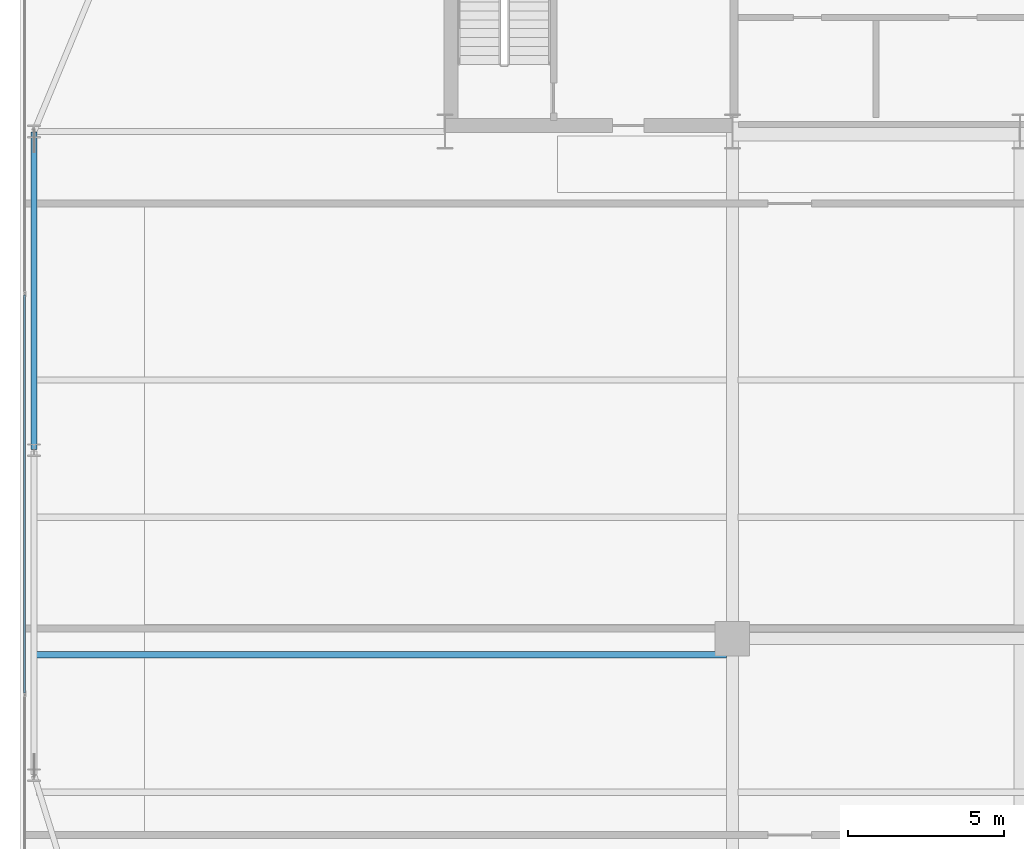
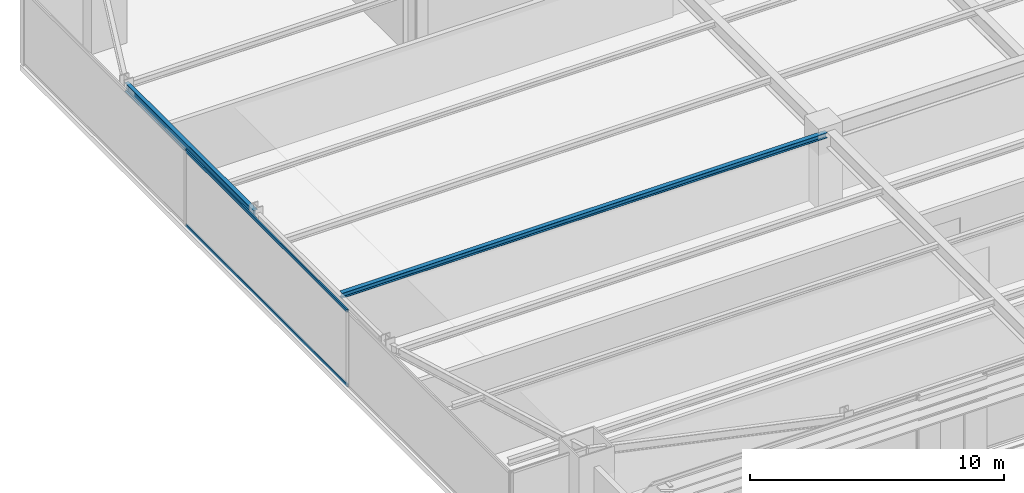
# One storey, part 9 of 31: 2 beams, 2 members, 1 element without a shape of its own.
"""IFC4 building model written with IfcOpenShell, lengths in metres."""

from ifc_helpers import new_model, si_unit, direction, frame, origin, origin_2d, place, context, subcontext, project, spatial, hollow_rectangle, i_section, extrude, source, transform, mapped, material, layer, layer_set, material_profile, profile_set, type_object, type_shapes, element, aggregate, save


model = new_model("IFC4")

# Units and contexts
model_context = context("Model", 3, precision=1e-05, world=origin(), true_north=direction((0.0, 1.0)))
body_context = subcontext(model_context, "Body", "Model", "MODEL_VIEW")
ifc_project = project(units=[si_unit("LENGTHUNIT", "METRE"), si_unit("AREAUNIT", "SQUARE_METRE"), si_unit("VOLUMEUNIT", "CUBIC_METRE"), si_unit("PLANEANGLEUNIT", "RADIAN"), si_unit("MASSUNIT", "GRAM", prefix="KILO")], contexts=[model_context])

# Site, building, storey
site_placement = place(None, origin())
site = spatial("IfcSite", under=ifc_project, at=site_placement, CompositionType="ELEMENT")
building_placement = place(site_placement, origin())
building = spatial("IfcBuilding", under=site, at=building_placement, Name="Varnel Quay Broadcast Tower", CompositionType="ELEMENT")
storey_placement = place(building_placement, frame((0.0, 0.0, 39.300048828125)))
storey = spatial("IfcBuildingStorey", under=building, at=storey_placement, Name="L08", CompositionType="ELEMENT", Elevation=39.300048828125)

# Beams
ifc_material_1 = material(Name="Structural Steel CSA G40.21 350W", Category="steel")
ifc_material_profile_1 = material_profile(ifc_material_1, i_section(OverallWidth=0.180908203125, OverallDepth=0.4169921875, WebThickness=0.010986328125, FlangeThickness=0.018310546875, FilletRadius=0.011962890625, at=origin_2d()), Name="W410X85")
ifc_profile_set_1 = profile_set([ifc_material_profile_1], Name="Structural Steel CSA G40.21 350W")
beam_type_1 = type_object("IfcBeamType", Name="Beam_W410X85", PredefinedType="SPANDREL", material=ifc_profile_set_1)
shared_shape_1 = source(origin(), body_context, "Body", "SweptSolid", [
    extrude(i_section(OverallWidth=0.180908203125, OverallDepth=0.4169921875, WebThickness=0.010986328125, FlangeThickness=0.018310546875, FilletRadius=0.011962890625, at=origin_2d()), origin(), (0.0, 0.0, 1.0), 10.16015625),
])
type_shapes(beam_type_1, [shared_shape_1])
beam_1_placement = place(storey_placement, frame((2.449951171875, 25.419921875, 3.44140625), z_axis=(0.0, 1.0, 0.0), x_axis=(-1.0, 0.0, 0.0)))
element("IfcBeam", 1, at=beam_1_placement, inside=storey, type_object=beam_type_1, Name="L08 West Spandrel TC-W2-TC-W3", PredefinedType="SPANDREL", context=body_context, shape_type="MappedRepresentation", body=[
    mapped(shared_shape_1, transform((0.0, 0.0, 0.0), x_axis=(1.0, 0.0, 0.0), y_axis=(0.0, 1.0, 0.0), z_axis=(0.0, 0.0, 1.0), scale=1.0)),
])
ifc_material_profile_2 = material_profile(ifc_material_1, i_section(OverallWidth=0.201904296875, OverallDepth=0.2470703125, WebThickness=0.00732421875, FlangeThickness=0.010986328125, FilletRadius=0.010986328125, at=origin_2d()), Name="W250X49")
ifc_profile_set_2 = profile_set([ifc_material_profile_2], Name="Structural Steel CSA G40.21 350W")
beam_type_2 = type_object("IfcBeamType", Name="Beam_W250X49", PredefinedType="JOIST", material=ifc_profile_set_2)
shared_shape_2 = source(origin(), body_context, "Body", "SweptSolid", [
    extrude(i_section(OverallWidth=0.201904296875, OverallDepth=0.2470703125, WebThickness=0.00732421875, FlangeThickness=0.010986328125, FilletRadius=0.010986328125, at=origin_2d()), origin(), (0.0, 0.0, 1.0), 22.0791015625),
])
type_shapes(beam_type_2, [shared_shape_2])
beam_2_placement = place(storey_placement, frame((2.535400390625, 18.85009765625, 3.5263671875), z_axis=(1.0, 0.0, 0.0), x_axis=(0.0, 1.0, 0.0)))
element("IfcBeam", 2, at=beam_2_placement, inside=storey, type_object=beam_type_2, Name="L08 West Floor Joist 4", PredefinedType="JOIST", context=body_context, shape_type="MappedRepresentation", body=[
    mapped(shared_shape_2, transform((0.0, 0.0, 0.0), x_axis=(1.0, 0.0, 0.0), y_axis=(0.0, 1.0, 0.0), z_axis=(0.0, 0.0, 1.0), scale=1.0)),
])

# Curtain wall, members
ifc_material_2 = material(Name="Anodised Bronze Aluminium 6063-T6", Category="aluminium")
ifc_layer = layer(ifc_material_2, 0.18994140625, Name="Anodised Bronze Aluminium 6063-T6")
ifc_layer_set = layer_set([ifc_layer], Name="Anodised Bronze Aluminium 6063-T6")
curtain_wall_type = type_object("IfcCurtainWallType", Name="CW_LowerTower", PredefinedType="NOTDEFINED", material=ifc_layer_set)
curtain_wall_placement = place(storey_placement, origin())
curtain_wall = element("IfcCurtainWall", 3, at=curtain_wall_placement, inside=storey, type_object=curtain_wall_type, Name="L08 West Unitised Curtain Wall", PredefinedType="NOTDEFINED")
ifc_material_profile_3 = material_profile(ifc_material_2, hollow_rectangle(XDim=0.06005859375, YDim=0.14501953125, WallThickness=0.00341796875, at=origin_2d()), Name="ALU60X145X3.5")
ifc_profile_set_3 = profile_set([ifc_material_profile_3], Name="Anodised Bronze Aluminium 6063-T6")
member_type = type_object("IfcMemberType", Name="Tran_CWS-02", PredefinedType="USERDEFINED", material=ifc_profile_set_3)
shared_shape_3 = source(origin(), body_context, "Body", "SweptSolid", [
    extrude(hollow_rectangle(XDim=0.06005859375, YDim=0.14501953125, WallThickness=0.00341796875, at=origin_2d()), origin(), (0.0, 0.0, 1.0), 12.72998046875),
])
type_shapes(member_type, [shared_shape_3])
member_1_placement = place(storey_placement, frame((2.14990234375, 17.635009765625, 0.030029296875), z_axis=(0.0, 1.0, 0.0), x_axis=(-1.0, 0.0, 0.0)))
member_1 = element("IfcMember", 4, at=member_1_placement, type_object=member_type, Name="CWS-02 transom 2.1", ObjectType="TRANSOM", PredefinedType="USERDEFINED", context=body_context, shape_type="MappedRepresentation", body=[
    mapped(shared_shape_3, transform((0.0, 0.0, 0.0), x_axis=(1.0, 0.0, 0.0), y_axis=(0.0, 1.0, 0.0), z_axis=(0.0, 0.0, 1.0), scale=1.0)),
])
member_2_placement = place(storey_placement, frame((2.14990234375, 17.635009765625, 3.619873046875), z_axis=(0.0, 1.0, 0.0), x_axis=(-1.0, 0.0, 0.0)))
member_2 = element("IfcMember", 5, at=member_2_placement, type_object=member_type, Name="CWS-02 transom 2.2", ObjectType="TRANSOM", PredefinedType="USERDEFINED", context=body_context, shape_type="MappedRepresentation", body=[
    mapped(shared_shape_3, transform((0.0, 0.0, 0.0), x_axis=(1.0, 0.0, 0.0), y_axis=(0.0, 1.0, 0.0), z_axis=(0.0, 0.0, 1.0), scale=1.0)),
])
aggregate(curtain_wall, [member_1, member_2])

save(model, "model.ifc")
